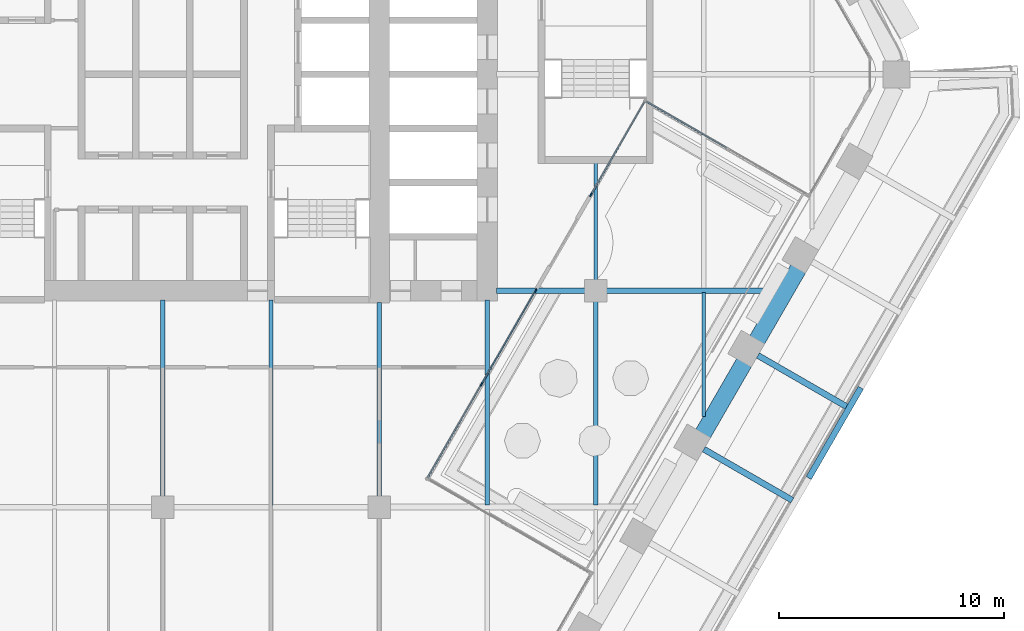
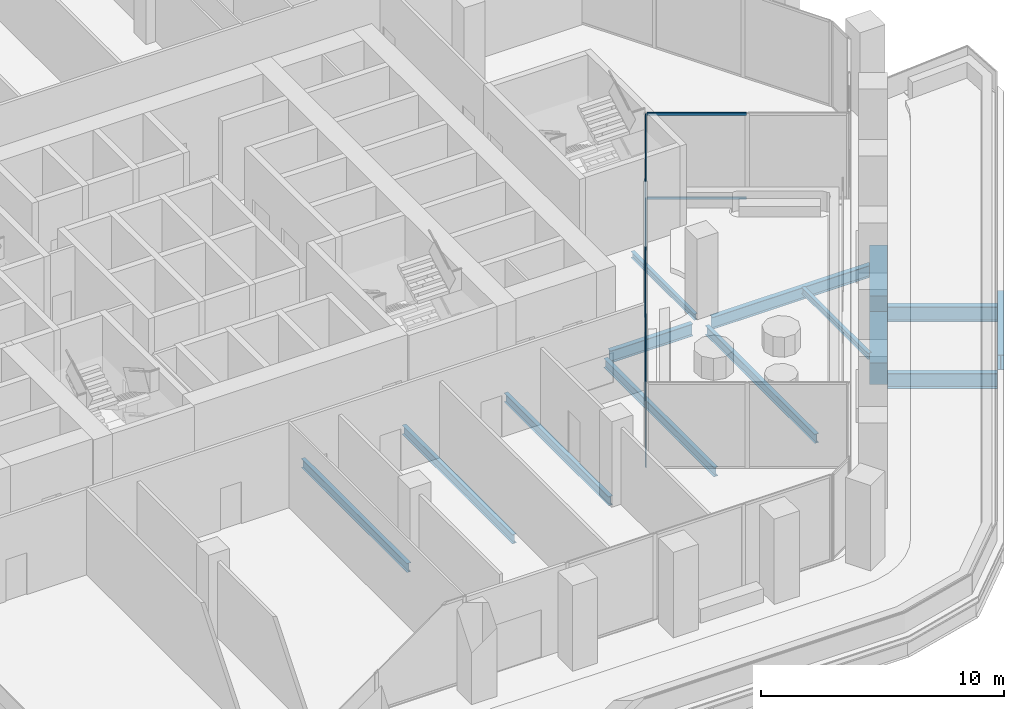
# One storey, part 5 of 25: 14 beams, 11 members, 3 elements without a shape of their own.
"""IFC4 building model written with IfcOpenShell, lengths in metres."""

from ifc_helpers import new_model, si_unit, direction, frame, origin, origin_2d, place, context, subcontext, project, spatial, rectangle, i_section, extrude, material, material_profile, profile_set, type_object, element, aggregate, save


model = new_model("IFC4")

# Units and contexts
model_context = context("Model", 3, precision=1e-05, world=origin(), true_north=direction((0.0, 1.0)))
body_context = subcontext(model_context, "Body", "Model", "MODEL_VIEW")
ifc_project = project(units=[si_unit("LENGTHUNIT", "METRE"), si_unit("AREAUNIT", "SQUARE_METRE"), si_unit("VOLUMEUNIT", "CUBIC_METRE"), si_unit("PLANEANGLEUNIT", "RADIAN"), si_unit("MASSUNIT", "GRAM", prefix="KILO")], contexts=[model_context])

# Site, building, storey
site_placement = place(None, origin())
site = spatial("IfcSite", under=ifc_project, at=site_placement, CompositionType="ELEMENT")
building_placement = place(site_placement, origin())
building = spatial("IfcBuilding", under=site, at=building_placement, Name="Kolab Exchange Tower", CompositionType="ELEMENT")
storey_placement = place(building_placement, frame((0.0, 0.0, 91.39990234375)))
storey = spatial("IfcBuildingStorey", under=building, at=storey_placement, Name="L17", CompositionType="ELEMENT", Elevation=91.39990234375)

# Beams
ifc_material_1 = material(Name="Steel S355", Category="steel")
ifc_material_profile_1 = material_profile(ifc_material_1, i_section(OverallWidth=0.1650390625, OverallDepth=0.31005859375, WebThickness=0.005859375, FlangeThickness=0.009765625, at=origin_2d()), Name="W310X39")
ifc_profile_set_1 = profile_set([ifc_material_profile_1], Name="Steel S355")
beam_type_1 = type_object("IfcBeamType", Name="FLOOR BEAM W310X39", PredefinedType="BEAM", material=ifc_profile_set_1)
beam_1_placement = place(storey_placement, frame((19.199951171875, -9.139892578125, -0.35498046875), z_axis=(0.0, 1.0, 0.0), x_axis=(-1.0, 0.0, 0.0)))
element("IfcBeam", 1, at=beam_1_placement, inside=storey, type_object=beam_type_1, Name="beam/L17/fr/042", PredefinedType="BEAM", context=body_context, shape_type="SweptSolid", body=[
    extrude(i_section(OverallWidth=0.1650390625, OverallDepth=0.31005859375, WebThickness=0.005859375, FlangeThickness=0.009765625, at=origin_2d()), origin(), (0.0, 0.0, 1.0), 5.22998046875),
])
beam_2_placement = place(storey_placement, frame((24.0, -15.167724609375, -0.35498046875), z_axis=(0.0, 1.0, 0.0), x_axis=(-1.0, 0.0, 0.0)))
element("IfcBeam", 2, at=beam_2_placement, inside=storey, type_object=beam_type_1, Name="beam/L17/fr/046", PredefinedType="BEAM", context=body_context, shape_type="SweptSolid", body=[
    extrude(i_section(OverallWidth=0.1650390625, OverallDepth=0.31005859375, WebThickness=0.005859375, FlangeThickness=0.009765625, at=origin_2d()), origin(), (0.0, 0.0, 1.0), 5.49365234375),
])
ifc_material_profile_2 = material_profile(ifc_material_1, i_section(OverallWidth=0.18994140625, OverallDepth=0.45703125, WebThickness=0.009033203125, FlangeThickness=0.014404296875, at=origin_2d()), Name="W460X74")
ifc_profile_set_2 = profile_set([ifc_material_profile_2], Name="Steel S355")
beam_type_2 = type_object("IfcBeamType", Name="FLOOR BEAM W460X74", PredefinedType="BEAM", material=ifc_profile_set_2)
beam_3_placement = place(storey_placement, frame((0.0, -18.739990234375, -0.428466796875), z_axis=(0.0, 1.0, 0.0), x_axis=(-1.0, 0.0, 0.0)))
element("IfcBeam", 3, at=beam_3_placement, inside=storey, type_object=beam_type_2, Name="beam/L17/fr/025", PredefinedType="BEAM", context=body_context, shape_type="SweptSolid", body=[
    extrude(i_section(OverallWidth=0.18994140625, OverallDepth=0.45703125, WebThickness=0.009033203125, FlangeThickness=0.014404296875, at=origin_2d()), origin(), (0.0, 0.0, 1.0), 8.72998046875),
])
beam_4_placement = place(storey_placement, frame((4.800048828125, -19.1259765625, -0.428466796875), z_axis=(0.0, 1.0, 0.0), x_axis=(-1.0, 0.0, 0.0)))
element("IfcBeam", 4, at=beam_4_placement, inside=storey, type_object=beam_type_2, Name="beam/L17/fr/029", PredefinedType="BEAM", context=body_context, shape_type="SweptSolid", body=[
    extrude(i_section(OverallWidth=0.18994140625, OverallDepth=0.45703125, WebThickness=0.009033203125, FlangeThickness=0.014404296875, at=origin_2d()), origin(), (0.0, 0.0, 1.0), 9.115966796875),
])
beam_5_placement = place(storey_placement, frame((9.60009765625, -18.739990234375, -0.428466796875), z_axis=(0.0, 1.0, 0.0), x_axis=(-1.0, 0.0, 0.0)))
element("IfcBeam", 5, at=beam_5_placement, inside=storey, type_object=beam_type_2, Name="beam/L17/fr/033", PredefinedType="BEAM", context=body_context, shape_type="SweptSolid", body=[
    extrude(i_section(OverallWidth=0.18994140625, OverallDepth=0.45703125, WebThickness=0.009033203125, FlangeThickness=0.014404296875, at=origin_2d()), origin(), (0.0, 0.0, 1.0), 8.6298828125),
])
beam_6_placement = place(storey_placement, frame((14.39990234375, -19.1064453125, -0.428466796875), z_axis=(0.0, 1.0, 0.0), x_axis=(-1.0, 0.0, 0.0)))
element("IfcBeam", 6, at=beam_6_placement, inside=storey, type_object=beam_type_2, Name="beam/L17/fr/037", PredefinedType="BEAM", context=body_context, shape_type="SweptSolid", body=[
    extrude(i_section(OverallWidth=0.18994140625, OverallDepth=0.45703125, WebThickness=0.009033203125, FlangeThickness=0.014404296875, at=origin_2d()), origin(), (0.0, 0.0, 1.0), 9.096435546875),
])
beam_7_placement = place(storey_placement, frame((19.199951171875, -19.1064453125, -0.428466796875), z_axis=(0.0, 1.0, 0.0), x_axis=(-1.0, 0.0, 0.0)))
element("IfcBeam", 7, at=beam_7_placement, inside=storey, type_object=beam_type_2, Name="beam/L17/fr/041", PredefinedType="BEAM", context=body_context, shape_type="SweptSolid", body=[
    extrude(i_section(OverallWidth=0.18994140625, OverallDepth=0.45703125, WebThickness=0.009033203125, FlangeThickness=0.014404296875, at=origin_2d()), origin(), (0.0, 0.0, 1.0), 9.04638671875),
])
ifc_material_profile_3 = material_profile(ifc_material_1, i_section(OverallWidth=0.22802734375, OverallDepth=0.60791015625, WebThickness=0.01123046875, FlangeThickness=0.017333984375, at=origin_2d()), Name="W610X113")
ifc_profile_set_3 = profile_set([ifc_material_profile_3], Name="Steel S355")
beam_type_3 = type_object("IfcBeamType", Name="FLOOR GIRDER W610X113", PredefinedType="BEAM", material=ifc_profile_set_3)
beam_8_placement = place(storey_placement, frame((14.81005859375, -9.60009765625, -0.50390625), z_axis=(1.0, 0.0, 0.0), x_axis=(0.0, 1.0, 0.0)))
element("IfcBeam", 8, at=beam_8_placement, inside=storey, type_object=beam_type_3, Name="beam/L17/gd/014", PredefinedType="BEAM", context=body_context, shape_type="SweptSolid", body=[
    extrude(i_section(OverallWidth=0.22802734375, OverallDepth=0.60791015625, WebThickness=0.01123046875, FlangeThickness=0.017333984375, at=origin_2d()), origin(), (0.0, 0.0, 1.0), 3.929931640625),
])
beam_9_placement = place(storey_placement, frame((19.659912109375, -9.60009765625, -0.50390625), z_axis=(1.0, 0.0, 0.0), x_axis=(0.0, 1.0, 0.0)))
element("IfcBeam", 9, at=beam_9_placement, inside=storey, type_object=beam_type_3, Name="beam/L17/gd/017", PredefinedType="BEAM", context=body_context, shape_type="SweptSolid", body=[
    extrude(i_section(OverallWidth=0.22802734375, OverallDepth=0.60791015625, WebThickness=0.01123046875, FlangeThickness=0.017333984375, at=origin_2d()), origin(), (0.0, 0.0, 1.0), 7.571533203125),
])
ifc_material_profile_4 = material_profile(ifc_material_1, i_section(OverallWidth=0.26708984375, OverallDepth=0.761962890625, WebThickness=0.014404296875, FlangeThickness=0.021484375, at=origin_2d()), Name="W760X173")
ifc_profile_set_4 = profile_set([ifc_material_profile_4], Name="Steel S355")
beam_type_4 = type_object("IfcBeamType", Name="FLOOR GIRDER W760X173", PredefinedType="BEAM", material=ifc_profile_set_4)
for number, where, z_axis, x_axis, name in (
    (10, (26.39990234375, -12.470703125, -0.640869140625), (0.866020560687, -0.500008388397, 0.0), (0.500008388397, 0.866020560687, 0.0), "beam/L17/ledge/rib-03"),
    (11, (24.0, -16.627685546875, -0.640869140625), (0.866020560687, -0.500008388397, 0.0), (0.500008388397, 0.866020560687, 0.0), "beam/L17/ledge/rib-04"),
):
    element("IfcBeam", number, at=place(storey_placement, frame(where, z_axis=z_axis, x_axis=x_axis)), inside=storey, type_object=beam_type_4, Name=name, PredefinedType="BEAM", context=body_context, shape_type="SweptSolid", body=[
        extrude(i_section(OverallWidth=0.26708984375, OverallDepth=0.761962890625, WebThickness=0.014404296875, FlangeThickness=0.021484375, at=origin_2d()), origin(), (0.0, 0.0, 1.0), 4.533203125),
    ])
beam_10_placement = place(storey_placement, frame((30.96240234375, -13.9013671875, -0.640869140625), z_axis=(-0.499978438088, -0.866037852202, 0.0), x_axis=(0.866037852202, -0.499978438088, 0.0)))
element("IfcBeam", 12, at=beam_10_placement, inside=storey, type_object=beam_type_4, Name="beam/L17/ledge/edge-04", PredefinedType="BEAM", context=body_context, shape_type="SweptSolid", body=[
    extrude(i_section(OverallWidth=0.26708984375, OverallDepth=0.761962890625, WebThickness=0.014404296875, FlangeThickness=0.021484375, at=origin_2d()), origin(), (0.0, 0.0, 1.0), 4.623291015625),
])
ifc_material_2 = material(Name="Concrete C70/85", Category="concrete")
ifc_material_profile_5 = material_profile(ifc_material_2, rectangle(XDim=0.75, YDim=1.10009765625, at=origin_2d()), Name="RC750X1100")
ifc_profile_set_5 = profile_set([ifc_material_profile_5], Name="Concrete C70/85")
beam_type_5 = type_object("IfcBeamType", Name="SPANDREL BEAM 750X1100 C70/85", PredefinedType="BEAM", material=ifc_profile_set_5)
beam_11_placement = place(storey_placement, frame((28.1953125, -8.611328125, -0.75), z_axis=(-0.500013413428, -0.866017659399, 0.0), x_axis=(0.866017659399, -0.500013413428, 0.0)))
element("IfcBeam", 13, at=beam_11_placement, inside=storey, type_object=beam_type_5, Name="beam/L17/sp/F3-03", PredefinedType="BEAM", context=body_context, shape_type="SweptSolid", body=[
    extrude(rectangle(XDim=0.75, YDim=1.10009765625, at=origin_2d()), origin(), (0.0, 0.0, 1.0), 3.68017578125),
])
beam_12_placement = place(storey_placement, frame((25.795166015625, -12.768310546875, -0.75), z_axis=(-0.499963655964, -0.866046386007, 0.0), x_axis=(0.866046386007, -0.499963655964, 0.0)))
element("IfcBeam", 14, at=beam_12_placement, inside=storey, type_object=beam_type_5, Name="beam/L17/sp/F3-04", PredefinedType="BEAM", context=body_context, shape_type="SweptSolid", body=[
    extrude(rectangle(XDim=0.75, YDim=1.10009765625, at=origin_2d()), origin(), (0.0, 0.0, 1.0), 3.679931640625),
])

# Curtain wall, member
ifc_material_3 = material(Name="Aluminium EN AW-6063 T6", Category="aluminium")
curtain_wall_type = type_object("IfcCurtainWallType", Name="UNITISED LOWER MID ZONE CURTAIN WALL", PredefinedType="NOTDEFINED", material=ifc_material_3)
curtain_wall_1_placement = place(storey_placement, origin())
curtain_wall_1 = element("IfcCurtainWall", 15, at=curtain_wall_1_placement, inside=storey, type_object=curtain_wall_type, Name="cw/L17/F3-back-1", PredefinedType="NOTDEFINED")
ifc_material_profile_6 = material_profile(ifc_material_3, rectangle(XDim=0.06005859375, YDim=0.179931640625, at=origin_2d()), Name="RECT 60X180")
ifc_profile_set_6 = profile_set([ifc_material_profile_6], Name="Aluminium EN AW-6063 T6")
member_type_1 = type_object("IfcMemberType", Name="UNITISED LOWER MID ZONE MULLION 60 X 180", PredefinedType="MULLION", material=ifc_profile_set_6)
member_1_placement = place(storey_placement, frame((18.9921875, -5.341796875, 0.0), z_axis=(0.0, 0.0, 1.0), x_axis=(0.866025406141, -0.499999995919, 0.0)))
member_1 = element("IfcMember", 16, at=member_1_placement, type_object=member_type_1, Name="CW2 mullion 2", PredefinedType="MULLION", context=body_context, shape_type="SweptSolid", body=[
    extrude(rectangle(XDim=0.06005859375, YDim=0.179931640625, at=origin_2d()), origin(), (0.0, 0.0, 1.0), 4.300048828125),
])

# Curtain wall, members
curtain_wall_2_placement = place(storey_placement, origin())
curtain_wall_2 = element("IfcCurtainWall", 17, at=curtain_wall_2_placement, inside=storey, type_object=curtain_wall_type, Name="cw/L17/F3-back-2", PredefinedType="NOTDEFINED")
member_2_placement = place(storey_placement, frame((16.5419921875, -9.585205078125, 0.0), z_axis=(0.0, 0.0, 1.0), x_axis=(0.866025406141, -0.499999995919, 0.0)))
member_2 = element("IfcMember", 18, at=member_2_placement, type_object=member_type_1, Name="CW2 mullion 1", PredefinedType="MULLION", context=body_context, shape_type="SweptSolid", body=[
    extrude(rectangle(XDim=0.06005859375, YDim=0.179931640625, at=origin_2d()), origin(), (0.0, 0.0, 1.0), 4.300048828125),
])
member_3_placement = place(storey_placement, frame((14.136962890625, -13.750732421875, 0.0), z_axis=(0.0, 0.0, 1.0), x_axis=(0.866025406141, -0.499999995919, 0.0)))
member_3 = element("IfcMember", 19, at=member_3_placement, type_object=member_type_1, Name="CW2 mullion 2", PredefinedType="MULLION", context=body_context, shape_type="SweptSolid", body=[
    extrude(rectangle(XDim=0.06005859375, YDim=0.179931640625, at=origin_2d()), origin(), (0.0, 0.0, 1.0), 4.300048828125),
])

curtain_wall_3_placement = place(storey_placement, origin())
curtain_wall_3 = element("IfcCurtainWall", 20, at=curtain_wall_3_placement, inside=storey, type_object=curtain_wall_type, Name="cw/L17/F3-rl-1", PredefinedType="NOTDEFINED")
ifc_material_profile_7 = material_profile(ifc_material_3, rectangle(XDim=0.06005859375, YDim=0.1201171875, at=origin_2d()), Name="RECT 60X120")
ifc_profile_set_7 = profile_set([ifc_material_profile_7], Name="Aluminium EN AW-6063 T6")
member_type_2 = type_object("IfcMemberType", Name="UNITISED LOWER MID ZONE TRANSOM 60 X 120", PredefinedType="USERDEFINED", material=ifc_profile_set_7)
member_4_placement = place(storey_placement, frame((25.00830078125, -3.260986328125, 0.030029296875), z_axis=(-0.866030279993, 0.499991554064, 0.0), x_axis=(-0.499991554064, -0.866030279993, 0.0)))
member_4 = element("IfcMember", 21, at=member_4_placement, type_object=member_type_2, Name="CW2 transom 2.1", ObjectType="TRANSOM", PredefinedType="USERDEFINED", context=body_context, shape_type="SweptSolid", body=[
    extrude(rectangle(XDim=0.06005859375, YDim=0.1201171875, at=origin_2d()), origin(), (0.0, 0.0, 1.0), 4.10986328125),
])
member_5_placement = place(storey_placement, frame((25.00830078125, -3.260986328125, 4.27001953125), z_axis=(-0.866030279993, 0.499991554064, 0.0), x_axis=(-0.499991554064, -0.866030279993, 0.0)))
member_5 = element("IfcMember", 22, at=member_5_placement, type_object=member_type_2, Name="CW2 transom 2.2", ObjectType="TRANSOM", PredefinedType="USERDEFINED", context=body_context, shape_type="SweptSolid", body=[
    extrude(rectangle(XDim=0.06005859375, YDim=0.1201171875, at=origin_2d()), origin(), (0.0, 0.0, 1.0), 4.10986328125),
])
aggregate(curtain_wall_3, [member_4, member_5])

# Member
member_6_placement = place(storey_placement, frame((21.3671875, -1.22802734375, 0.030029296875), z_axis=(-0.500016465344, -0.866015897305, 0.0), x_axis=(0.866015897305, -0.500016465344, 0.0)))
member_6 = element("IfcMember", 23, at=member_6_placement, type_object=member_type_2, Name="CW2 transom 1.1", ObjectType="TRANSOM", PredefinedType="USERDEFINED", context=body_context, shape_type="SweptSolid", body=[
    extrude(rectangle(XDim=0.06005859375, YDim=0.1201171875, at=origin_2d()), origin(), (0.0, 0.0, 1.0), 4.719970703125),
])

member_7_placement = place(storey_placement, frame((21.3671875, -1.22802734375, 4.27001953125), z_axis=(-0.500016465344, -0.866015897305, 0.0), x_axis=(0.866015897305, -0.500016465344, 0.0)))
member_7 = element("IfcMember", 24, at=member_7_placement, type_object=member_type_2, Name="CW2 transom 1.2", ObjectType="TRANSOM", PredefinedType="USERDEFINED", context=body_context, shape_type="SweptSolid", body=[
    extrude(rectangle(XDim=0.06005859375, YDim=0.1201171875, at=origin_2d()), origin(), (0.0, 0.0, 1.0), 4.719970703125),
])

aggregate(curtain_wall_1, [member_1, member_6, member_7])

member_8_placement = place(storey_placement, frame((16.527099609375, -9.611083984375, 0.030029296875), z_axis=(-0.499986429846, -0.866033238375, 0.0), x_axis=(0.866033238375, -0.499986429846, 0.0)))
member_8 = element("IfcMember", 25, at=member_8_placement, type_object=member_type_2, Name="CW2 transom 1.1", ObjectType="TRANSOM", PredefinedType="USERDEFINED", context=body_context, shape_type="SweptSolid", body=[
    extrude(rectangle(XDim=0.06005859375, YDim=0.1201171875, at=origin_2d()), origin(), (0.0, 0.0, 1.0), 4.750244140625),
])

member_9_placement = place(storey_placement, frame((16.527099609375, -9.611083984375, 4.27001953125), z_axis=(-0.499986429846, -0.866033238375, 0.0), x_axis=(0.866033238375, -0.499986429846, 0.0)))
member_9 = element("IfcMember", 26, at=member_9_placement, type_object=member_type_2, Name="CW2 transom 1.2", ObjectType="TRANSOM", PredefinedType="USERDEFINED", context=body_context, shape_type="SweptSolid", body=[
    extrude(rectangle(XDim=0.06005859375, YDim=0.1201171875, at=origin_2d()), origin(), (0.0, 0.0, 1.0), 4.750244140625),
])

member_10_placement = place(storey_placement, frame((14.1220703125, -13.77685546875, 0.030029296875), z_axis=(-0.500008685663, -0.866020389056, 0.0), x_axis=(0.866020389056, -0.500008685663, 0.0)))
member_10 = element("IfcMember", 27, at=member_10_placement, type_object=member_type_2, Name="CW2 transom 2.1", ObjectType="TRANSOM", PredefinedType="USERDEFINED", context=body_context, shape_type="SweptSolid", body=[
    extrude(rectangle(XDim=0.06005859375, YDim=0.1201171875, at=origin_2d()), origin(), (0.0, 0.0, 1.0), 4.75),
])

member_11_placement = place(storey_placement, frame((14.1220703125, -13.77685546875, 4.27001953125), z_axis=(-0.500008685663, -0.866020389056, 0.0), x_axis=(0.866020389056, -0.500008685663, 0.0)))
member_11 = element("IfcMember", 28, at=member_11_placement, type_object=member_type_2, Name="CW2 transom 2.2", ObjectType="TRANSOM", PredefinedType="USERDEFINED", context=body_context, shape_type="SweptSolid", body=[
    extrude(rectangle(XDim=0.06005859375, YDim=0.1201171875, at=origin_2d()), origin(), (0.0, 0.0, 1.0), 4.75),
])

aggregate(curtain_wall_2, [member_2, member_3, member_8, member_9, member_10, member_11])

save(model, "model.ifc")
